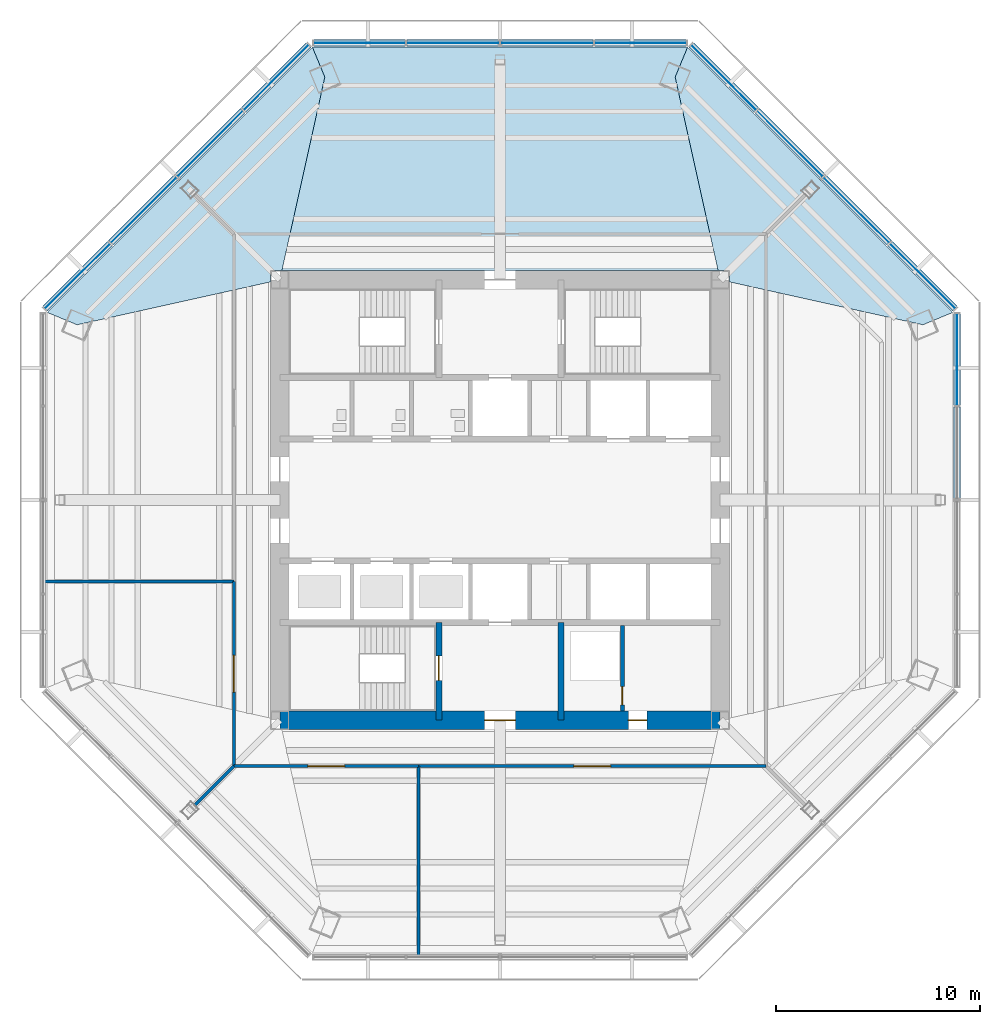
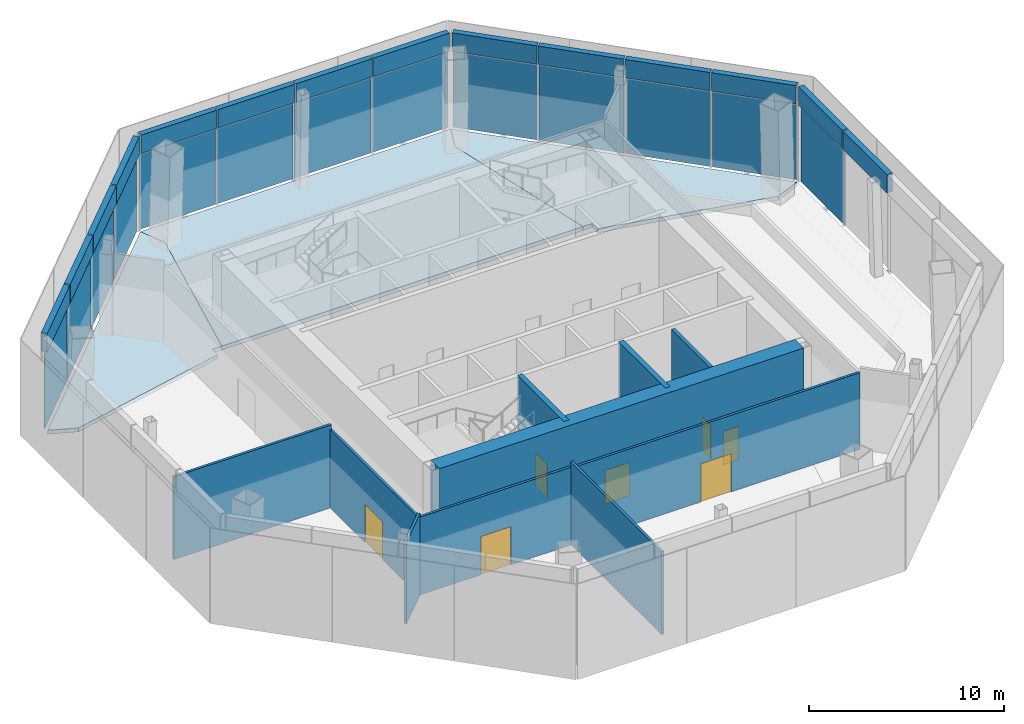
# One storey, part 6 of 13: 27 plates, 10 walls, 7 doors, 3 slabs, 7 openings, 4 elements without a shape of their own.
"""IFC4 building model written with IfcOpenShell, lengths in metres."""

from ifc_helpers import new_model, si_unit, direction, frame, frame_2d, origin, origin_2d, place, context, subcontext, project, spatial, polyline, rectangle, outline, extrude, source, transform, mapped, material, layer, layer_set, type_object, type_shapes, element, fill, aggregate, save


model = new_model("IFC4")

# Units and contexts
model_context = context("Model", 3, precision=1e-05, world=origin(), true_north=direction((0.0, 1.0)))
body_context = subcontext(model_context, "Body", "Model", "MODEL_VIEW")
ifc_project = project(units=[si_unit("LENGTHUNIT", "METRE"), si_unit("AREAUNIT", "SQUARE_METRE"), si_unit("VOLUMEUNIT", "CUBIC_METRE"), si_unit("PLANEANGLEUNIT", "RADIAN"), si_unit("MASSUNIT", "GRAM", prefix="KILO")], contexts=[model_context])

# Site, building, storey
site_placement = place(None, origin())
site = spatial("IfcSite", under=ifc_project, at=site_placement, CompositionType="ELEMENT")
building_placement = place(site_placement, origin())
building = spatial("IfcBuilding", under=site, at=building_placement, Name="Mashrafa Tower", CompositionType="ELEMENT")
storey_placement = place(building_placement, frame((0.0, 0.0, 198.0)))
storey = spatial("IfcBuildingStorey", under=building, at=storey_placement, Name="L45", CompositionType="ELEMENT", Elevation=198.0)

# Slabs
ifc_material_1 = material(Name="Concrete C35/45", Category="concrete")
ifc_layer_1 = layer(ifc_material_1, 0.25)
ifc_layer_set_1 = layer_set([ifc_layer_1], Name="Floor slab 250")
slab_type = type_object("IfcSlabType", Name="Floor slab 250", PredefinedType="FLOOR", material=ifc_layer_set_1)
slab_1_placement = place(storey_placement, frame((0.0, 0.0, -0.25)))
element("IfcSlab", 1, at=slab_1_placement, inside=storey, type_object=slab_type, Name="Floor slab L45 north-east bay", PredefinedType="FLOOR", context=body_context, shape_type="SweptSolid", body=[
    extrude(outline(polyline([(22.213623046875, 9.201171875), (20.742431640625, 8.591796875), (11.25, 10.699951171875), (11.25, 11.25), (10.699951171875, 11.25), (8.591796875, 20.742431640625), (9.201171875, 22.213623046875), (22.213623046875, 9.201171875)])), origin(), (0.0, 0.0, 1.0), 0.25),
])
slab_2_placement = place(storey_placement, frame((0.0, 0.0, -0.25)))
element("IfcSlab", 2, at=slab_2_placement, inside=storey, type_object=slab_type, Name="Floor slab L45 north bay", PredefinedType="FLOOR", context=body_context, shape_type="SweptSolid", body=[
    extrude(outline(polyline([(-9.201171875, 22.213623046875), (9.201171875, 22.213623046875), (9.201171875, 22.213623046875), (8.591796875, 20.742431640625), (10.699951171875, 11.25), (-10.699951171875, 11.25), (-8.591796875, 20.742431640625), (-9.201171875, 22.213623046875), (-9.201171875, 22.213623046875)])), origin(), (0.0, 0.0, 1.0), 0.25),
])
slab_3_placement = place(storey_placement, frame((0.0, 0.0, -0.25)))
element("IfcSlab", 3, at=slab_3_placement, inside=storey, type_object=slab_type, Name="Floor slab L45 north-west bay", PredefinedType="FLOOR", context=body_context, shape_type="SweptSolid", body=[
    extrude(outline(polyline([(-9.201171875, 22.213623046875), (-8.591796875, 20.742431640625), (-10.699951171875, 11.25), (-11.25, 11.25), (-11.25, 10.699951171875), (-20.742431640625, 8.591796875), (-22.213623046875, 9.201171875), (-9.201171875, 22.213623046875)])), origin(), (0.0, 0.0, 1.0), 0.25),
])

# Curtain wall, plate
ifc_material_2 = material(Name="Unitised aluminium curtain wall", Category="aluminium")
curtain_wall_type = type_object("IfcCurtainWallType", Name="Sky garden curtain wall CW-E 300 deep", PredefinedType="NOTDEFINED", material=ifc_material_2)
curtain_wall_1_placement = place(storey_placement, origin())
curtain_wall_1 = element("IfcCurtainWall", 4, at=curtain_wall_1_placement, inside=storey, type_object=curtain_wall_type, Name="Sky garden curtain wall L45 east", PredefinedType="NOTDEFINED")
ifc_material_3 = material(Name="Laminated insulated double glazing", Category="glass")
ifc_layer_2 = layer(ifc_material_3, 0.031982421875)
ifc_layer_set_2 = layer_set([ifc_layer_2], Name="Vision panel CW-E 32")
plate_type_1 = type_object("IfcPlateType", Name="Vision panel CW-E 32", PredefinedType="CURTAIN_PANEL", material=ifc_layer_set_2)
shared_shape_1 = source(origin(), body_context, "Body", "SweptSolid", [
    extrude(rectangle(XDim=4.493408203125, YDim=0.031982421875, at=origin_2d()), origin(), (0.0, 0.0, 1.0), 4.75),
])
plate_1_placement = place(storey_placement, frame((22.41357421875, 6.89013671875, 0.0), z_axis=(0.0, 0.0, 1.0), x_axis=(0.0, 1.0, 0.0)))
plate_1 = element("IfcPlate", 5, at=plate_1_placement, type_object=plate_type_1, Name="CW-E vision panel 4", PredefinedType="CURTAIN_PANEL", context=body_context, shape_type="MappedRepresentation", body=[
    mapped(shared_shape_1, transform((0.0, 0.0, 0.0))),
])

# Curtain wall, plates
curtain_wall_2_placement = place(storey_placement, origin())
curtain_wall_2 = element("IfcCurtainWall", 6, at=curtain_wall_2_placement, inside=storey, type_object=curtain_wall_type, Name="Sky garden curtain wall L45 north-east", PredefinedType="NOTDEFINED")
plate_2_placement = place(storey_placement, frame((20.720947265625, 10.976806640625, 0.0), z_axis=(0.0, 0.0, 1.0), x_axis=(-0.707106781187, 0.707106781187, 0.0)))
plate_2 = element("IfcPlate", 7, at=plate_2_placement, type_object=plate_type_1, Name="CW-E vision panel 1", PredefinedType="CURTAIN_PANEL", context=body_context, shape_type="MappedRepresentation", body=[
    mapped(shared_shape_1, transform((0.0, 0.0, 0.0))),
])
plate_3_placement = place(storey_placement, frame((10.976806640625, 20.720947265625, 0.0), z_axis=(0.0, 0.0, 1.0), x_axis=(-0.707106781187, 0.707106781187, 0.0)))
plate_3 = element("IfcPlate", 8, at=plate_3_placement, type_object=plate_type_1, Name="CW-E vision panel 4", PredefinedType="CURTAIN_PANEL", context=body_context, shape_type="MappedRepresentation", body=[
    mapped(shared_shape_1, transform((0.0, 0.0, 0.0))),
])

curtain_wall_3_placement = place(storey_placement, origin())
curtain_wall_3 = element("IfcCurtainWall", 9, at=curtain_wall_3_placement, inside=storey, type_object=curtain_wall_type, Name="Sky garden curtain wall L45 north", PredefinedType="NOTDEFINED")
plate_4_placement = place(storey_placement, frame((6.89013671875, 22.41357421875, 0.0), z_axis=(0.0, 0.0, 1.0), x_axis=(-1.0, 0.0, 0.0)))
plate_4 = element("IfcPlate", 10, at=plate_4_placement, type_object=plate_type_1, Name="CW-E vision panel 1", PredefinedType="CURTAIN_PANEL", context=body_context, shape_type="MappedRepresentation", body=[
    mapped(shared_shape_1, transform((0.0, 0.0, 0.0))),
])
plate_5_placement = place(storey_placement, frame((-6.89013671875, 22.41357421875, 0.0), z_axis=(0.0, 0.0, 1.0), x_axis=(-1.0, 0.0, 0.0)))
plate_5 = element("IfcPlate", 11, at=plate_5_placement, type_object=plate_type_1, Name="CW-E vision panel 4", PredefinedType="CURTAIN_PANEL", context=body_context, shape_type="MappedRepresentation", body=[
    mapped(shared_shape_1, transform((0.0, 0.0, 0.0))),
])

curtain_wall_4_placement = place(storey_placement, origin())
curtain_wall_4 = element("IfcCurtainWall", 12, at=curtain_wall_4_placement, inside=storey, type_object=curtain_wall_type, Name="Sky garden curtain wall L45 north-west", PredefinedType="NOTDEFINED")
plate_6_placement = place(storey_placement, frame((-10.976806640625, 20.720947265625, 0.0), z_axis=(0.0, 0.0, 1.0), x_axis=(-0.707106781187, -0.707106781187, 0.0)))
plate_6 = element("IfcPlate", 13, at=plate_6_placement, type_object=plate_type_1, Name="CW-E vision panel 1", PredefinedType="CURTAIN_PANEL", context=body_context, shape_type="MappedRepresentation", body=[
    mapped(shared_shape_1, transform((0.0, 0.0, 0.0))),
])
plate_7_placement = place(storey_placement, frame((-20.720947265625, 10.976806640625, 0.0), z_axis=(0.0, 0.0, 1.0), x_axis=(-0.707106781187, -0.707106781187, 0.0)))
plate_7 = element("IfcPlate", 14, at=plate_7_placement, type_object=plate_type_1, Name="CW-E vision panel 4", PredefinedType="CURTAIN_PANEL", context=body_context, shape_type="MappedRepresentation", body=[
    mapped(shared_shape_1, transform((0.0, 0.0, 0.0))),
])

# Plate
ifc_material_4 = material(Name="Insulated aluminium spandrel panel", Category="aluminium")
ifc_layer_3 = layer(ifc_material_4, 0.330078125)
ifc_layer_set_3 = layer_set([ifc_layer_3], Name="Spandrel panel CW-E 330")
plate_type_2 = type_object("IfcPlateType", Name="Spandrel panel CW-E 330", PredefinedType="CURTAIN_PANEL", material=ifc_layer_set_3)
shared_shape_2 = source(origin(), body_context, "Body", "SweptSolid", [
    extrude(rectangle(XDim=4.493408203125, YDim=0.330078125, at=origin_2d()), origin(), (0.0, 0.0, 1.0), 1.14990234375),
])
plate_8_placement = place(storey_placement, frame((22.41357421875, 6.89013671875, 4.85009765625), z_axis=(0.0, 0.0, 1.0), x_axis=(0.0, 1.0, 0.0)))
plate_8 = element("IfcPlate", 15, at=plate_8_placement, type_object=plate_type_2, Name="CW-E spandrel panel 4", PredefinedType="CURTAIN_PANEL", context=body_context, shape_type="MappedRepresentation", body=[
    mapped(shared_shape_2, transform((0.0, 0.0, 0.0))),
])

plate_9_placement = place(storey_placement, frame((20.720947265625, 10.976806640625, 4.85009765625), z_axis=(0.0, 0.0, 1.0), x_axis=(-0.707106781187, 0.707106781187, 0.0)))
plate_9 = element("IfcPlate", 16, at=plate_9_placement, type_object=plate_type_2, Name="CW-E spandrel panel 1", PredefinedType="CURTAIN_PANEL", context=body_context, shape_type="MappedRepresentation", body=[
    mapped(shared_shape_2, transform((0.0, 0.0, 0.0))),
])

plate_10_placement = place(storey_placement, frame((10.976806640625, 20.720947265625, 4.85009765625), z_axis=(0.0, 0.0, 1.0), x_axis=(-0.707106781187, 0.707106781187, 0.0)))
plate_10 = element("IfcPlate", 17, at=plate_10_placement, type_object=plate_type_2, Name="CW-E spandrel panel 4", PredefinedType="CURTAIN_PANEL", context=body_context, shape_type="MappedRepresentation", body=[
    mapped(shared_shape_2, transform((0.0, 0.0, 0.0))),
])

plate_11_placement = place(storey_placement, frame((6.89013671875, 22.41357421875, 4.85009765625), z_axis=(0.0, 0.0, 1.0), x_axis=(-1.0, 0.0, 0.0)))
plate_11 = element("IfcPlate", 18, at=plate_11_placement, type_object=plate_type_2, Name="CW-E spandrel panel 1", PredefinedType="CURTAIN_PANEL", context=body_context, shape_type="MappedRepresentation", body=[
    mapped(shared_shape_2, transform((0.0, 0.0, 0.0))),
])

plate_12_placement = place(storey_placement, frame((-6.89013671875, 22.41357421875, 4.85009765625), z_axis=(0.0, 0.0, 1.0), x_axis=(-1.0, 0.0, 0.0)))
plate_12 = element("IfcPlate", 19, at=plate_12_placement, type_object=plate_type_2, Name="CW-E spandrel panel 4", PredefinedType="CURTAIN_PANEL", context=body_context, shape_type="MappedRepresentation", body=[
    mapped(shared_shape_2, transform((0.0, 0.0, 0.0))),
])

plate_13_placement = place(storey_placement, frame((-10.976806640625, 20.720947265625, 4.85009765625), z_axis=(0.0, 0.0, 1.0), x_axis=(-0.707106781187, -0.707106781187, 0.0)))
plate_13 = element("IfcPlate", 20, at=plate_13_placement, type_object=plate_type_2, Name="CW-E spandrel panel 1", PredefinedType="CURTAIN_PANEL", context=body_context, shape_type="MappedRepresentation", body=[
    mapped(shared_shape_2, transform((0.0, 0.0, 0.0))),
])

plate_14_placement = place(storey_placement, frame((-20.720947265625, 10.976806640625, 4.85009765625), z_axis=(0.0, 0.0, 1.0), x_axis=(-0.707106781187, -0.707106781187, 0.0)))
plate_14 = element("IfcPlate", 21, at=plate_14_placement, type_object=plate_type_2, Name="CW-E spandrel panel 4", PredefinedType="CURTAIN_PANEL", context=body_context, shape_type="MappedRepresentation", body=[
    mapped(shared_shape_2, transform((0.0, 0.0, 0.0))),
])

shared_shape_3 = source(origin(), body_context, "Body", "SweptSolid", [
    extrude(rectangle(XDim=4.531005859375, YDim=0.031982421875, at=origin_2d()), origin(), (0.0, 0.0, 1.0), 4.75),
])
type_shapes(plate_type_1, [shared_shape_1, shared_shape_3])
plate_15_placement = place(storey_placement, frame((17.477294921875, 14.220458984375, 0.0), z_axis=(0.0, 0.0, 1.0), x_axis=(-0.707106781187, 0.707106781187, 0.0)))
plate_15 = element("IfcPlate", 22, at=plate_15_placement, type_object=plate_type_1, Name="CW-E vision panel 2", PredefinedType="CURTAIN_PANEL", context=body_context, shape_type="MappedRepresentation", body=[
    mapped(shared_shape_3, transform((0.0, 0.0, 0.0))),
])

plate_16_placement = place(storey_placement, frame((14.220458984375, 17.477294921875, 0.0), z_axis=(0.0, 0.0, 1.0), x_axis=(-0.707106781187, 0.707106781187, 0.0)))
plate_16 = element("IfcPlate", 23, at=plate_16_placement, type_object=plate_type_1, Name="CW-E vision panel 3", PredefinedType="CURTAIN_PANEL", context=body_context, shape_type="MappedRepresentation", body=[
    mapped(shared_shape_3, transform((0.0, 0.0, 0.0))),
])

plate_17_placement = place(storey_placement, frame((2.302978515625, 22.41357421875, 0.0), z_axis=(0.0, 0.0, 1.0), x_axis=(-1.0, 0.0, 0.0)))
plate_17 = element("IfcPlate", 24, at=plate_17_placement, type_object=plate_type_1, Name="CW-E vision panel 2", PredefinedType="CURTAIN_PANEL", context=body_context, shape_type="MappedRepresentation", body=[
    mapped(shared_shape_3, transform((0.0, 0.0, 0.0))),
])

plate_18_placement = place(storey_placement, frame((-2.302978515625, 22.41357421875, 0.0), z_axis=(0.0, 0.0, 1.0), x_axis=(-1.0, 0.0, 0.0)))
plate_18 = element("IfcPlate", 25, at=plate_18_placement, type_object=plate_type_1, Name="CW-E vision panel 3", PredefinedType="CURTAIN_PANEL", context=body_context, shape_type="MappedRepresentation", body=[
    mapped(shared_shape_3, transform((0.0, 0.0, 0.0))),
])

plate_19_placement = place(storey_placement, frame((-14.220458984375, 17.477294921875, 0.0), z_axis=(0.0, 0.0, 1.0), x_axis=(-0.707106781187, -0.707106781187, 0.0)))
plate_19 = element("IfcPlate", 26, at=plate_19_placement, type_object=plate_type_1, Name="CW-E vision panel 2", PredefinedType="CURTAIN_PANEL", context=body_context, shape_type="MappedRepresentation", body=[
    mapped(shared_shape_3, transform((0.0, 0.0, 0.0))),
])

plate_20_placement = place(storey_placement, frame((-17.477294921875, 14.220458984375, 0.0), z_axis=(0.0, 0.0, 1.0), x_axis=(-0.707106781187, -0.707106781187, 0.0)))
plate_20 = element("IfcPlate", 27, at=plate_20_placement, type_object=plate_type_1, Name="CW-E vision panel 3", PredefinedType="CURTAIN_PANEL", context=body_context, shape_type="MappedRepresentation", body=[
    mapped(shared_shape_3, transform((0.0, 0.0, 0.0))),
])

shared_shape_4 = source(origin(), body_context, "Body", "SweptSolid", [
    extrude(rectangle(XDim=4.531005859375, YDim=0.330078125, at=origin_2d()), origin(), (0.0, 0.0, 1.0), 1.14990234375),
])
type_shapes(plate_type_2, [shared_shape_2, shared_shape_4])
plate_21_placement = place(storey_placement, frame((22.41357421875, 2.302978515625, 4.85009765625), z_axis=(0.0, 0.0, 1.0), x_axis=(0.0, 1.0, 0.0)))
plate_21 = element("IfcPlate", 28, at=plate_21_placement, type_object=plate_type_2, Name="CW-E spandrel panel 3", PredefinedType="CURTAIN_PANEL", context=body_context, shape_type="MappedRepresentation", body=[
    mapped(shared_shape_4, transform((0.0, 0.0, 0.0))),
])

aggregate(curtain_wall_1, [plate_21, plate_1, plate_8])

plate_22_placement = place(storey_placement, frame((17.477294921875, 14.220458984375, 4.85009765625), z_axis=(0.0, 0.0, 1.0), x_axis=(-0.707106781187, 0.707106781187, 0.0)))
plate_22 = element("IfcPlate", 29, at=plate_22_placement, type_object=plate_type_2, Name="CW-E spandrel panel 2", PredefinedType="CURTAIN_PANEL", context=body_context, shape_type="MappedRepresentation", body=[
    mapped(shared_shape_4, transform((0.0, 0.0, 0.0))),
])

plate_23_placement = place(storey_placement, frame((14.220458984375, 17.477294921875, 4.85009765625), z_axis=(0.0, 0.0, 1.0), x_axis=(-0.707106781187, 0.707106781187, 0.0)))
plate_23 = element("IfcPlate", 30, at=plate_23_placement, type_object=plate_type_2, Name="CW-E spandrel panel 3", PredefinedType="CURTAIN_PANEL", context=body_context, shape_type="MappedRepresentation", body=[
    mapped(shared_shape_4, transform((0.0, 0.0, 0.0))),
])

aggregate(curtain_wall_2, [plate_2, plate_9, plate_15, plate_22, plate_16, plate_23, plate_3, plate_10])

plate_24_placement = place(storey_placement, frame((2.302978515625, 22.41357421875, 4.85009765625), z_axis=(0.0, 0.0, 1.0), x_axis=(-1.0, 0.0, 0.0)))
plate_24 = element("IfcPlate", 31, at=plate_24_placement, type_object=plate_type_2, Name="CW-E spandrel panel 2", PredefinedType="CURTAIN_PANEL", context=body_context, shape_type="MappedRepresentation", body=[
    mapped(shared_shape_4, transform((0.0, 0.0, 0.0))),
])

plate_25_placement = place(storey_placement, frame((-2.302978515625, 22.41357421875, 4.85009765625), z_axis=(0.0, 0.0, 1.0), x_axis=(-1.0, 0.0, 0.0)))
plate_25 = element("IfcPlate", 32, at=plate_25_placement, type_object=plate_type_2, Name="CW-E spandrel panel 3", PredefinedType="CURTAIN_PANEL", context=body_context, shape_type="MappedRepresentation", body=[
    mapped(shared_shape_4, transform((0.0, 0.0, 0.0))),
])

aggregate(curtain_wall_3, [plate_4, plate_11, plate_17, plate_24, plate_18, plate_25, plate_5, plate_12])

plate_26_placement = place(storey_placement, frame((-14.220458984375, 17.477294921875, 4.85009765625), z_axis=(0.0, 0.0, 1.0), x_axis=(-0.707106781187, -0.707106781187, 0.0)))
plate_26 = element("IfcPlate", 33, at=plate_26_placement, type_object=plate_type_2, Name="CW-E spandrel panel 2", PredefinedType="CURTAIN_PANEL", context=body_context, shape_type="MappedRepresentation", body=[
    mapped(shared_shape_4, transform((0.0, 0.0, 0.0))),
])

plate_27_placement = place(storey_placement, frame((-17.477294921875, 14.220458984375, 4.85009765625), z_axis=(0.0, 0.0, 1.0), x_axis=(-0.707106781187, -0.707106781187, 0.0)))
plate_27 = element("IfcPlate", 34, at=plate_27_placement, type_object=plate_type_2, Name="CW-E spandrel panel 3", PredefinedType="CURTAIN_PANEL", context=body_context, shape_type="MappedRepresentation", body=[
    mapped(shared_shape_4, transform((0.0, 0.0, 0.0))),
])

aggregate(curtain_wall_4, [plate_6, plate_13, plate_19, plate_26, plate_20, plate_27, plate_7, plate_14])

# Wall, opening, door
ifc_material_5 = material(Name="Concrete masonry unit", Category="masonry")
ifc_layer_4 = layer(ifc_material_5, 0.199951171875)
ifc_layer_set_4 = layer_set([ifc_layer_4], Name="Blockwork wall 200 2 hr")
wall_type_1 = type_object("IfcWallType", Name="Blockwork wall 200 2 hr", PredefinedType="PARTITIONING", material=ifc_layer_set_4)
wall_1_placement = place(storey_placement, frame((6.0, -10.35009765625, 0.0), z_axis=(0.0, 0.0, 1.0), x_axis=(0.0, 1.0, 0.0)))
wall_1 = element("IfcWall", 35, at=wall_1_placement, inside=storey, type_object=wall_type_1, Name="Riser enclosure wall L45", PredefinedType="PARTITIONING", context=body_context, shape_type="SweptSolid", body=[
    extrude(rectangle(XDim=4.2001953125, YDim=0.199951171875, at=frame_2d((2.10009765625, 0.0))), origin(), (0.0, 0.0, 1.0), 5.800048828125),
])
opening_1_placement = place(wall_1_placement, frame((0.300048828125, 0.0, 0.0)))
opening_1 = element("IfcOpeningElement", 36, at=opening_1_placement, cuts=wall_1, Name="Opening 45.017", PredefinedType="OPENING", context=body_context, shape_type="SweptSolid", body=[
    extrude(rectangle(XDim=0.89990234375, YDim=2.10009765625, at=frame_2d((0.449951171875, 1.050048828125))), frame((0.0, 0.10986328125, 0.0), z_axis=(0.0, -1.0, 0.0), x_axis=(1.0, 0.0, 0.0)), (0.0, 0.0, 1.0), 0.219970703125),
])
ifc_material_6 = material(Name="Steel door", Category="steel")
door_type_1 = type_object("IfcDoorType", Name="Service door 900 x 2100 90 min", OperationType="USERDEFINED", PredefinedType="DOOR", material=ifc_material_6)
door_1_placement = place(opening_1_placement, origin())
door_1 = element("IfcDoor", 37, at=door_1_placement, inside=storey, type_object=door_type_1, Name="Riser door L45", OperationType="SINGLE_SWING_LEFT", OverallHeight=2.10009765625, OverallWidth=0.89990234375, PredefinedType="DOOR", context=body_context, shape_type="SweptSolid", body=[
    extrude(rectangle(XDim=0.89990234375, YDim=2.10009765625, at=frame_2d((0.449951171875, 1.050048828125))), frame((0.0, 0.02490234375, 0.0), z_axis=(0.0, -1.0, 0.0), x_axis=(1.0, 0.0, 0.0)), (0.0, 0.0, 1.0), 0.050048828125),
])
fill(opening_1, door_1)

ifc_material_7 = material(Name="Concrete C50/60", Category="concrete")
ifc_layer_5 = layer(ifc_material_7, 0.300048828125)
ifc_layer_set_5 = layer_set([ifc_layer_5], Name="Core wall 300 C50/60")
wall_type_2 = type_object("IfcWallType", Name="Core wall 300 C50/60", PredefinedType="SOLIDWALL", material=ifc_layer_set_5)
wall_2_placement = place(storey_placement, frame((-3.0, -6.0, 0.0), z_axis=(0.0, 0.0, 1.0), x_axis=(0.0, -1.0, 0.0)))
wall_2 = element("IfcWall", 38, at=wall_2_placement, inside=storey, type_object=wall_type_2, Name="Core wall CX-SW L45", PredefinedType="SOLIDWALL", context=body_context, shape_type="SweptSolid", body=[
    extrude(rectangle(XDim=4.800048828125, YDim=0.300048828125, at=frame_2d((2.39990234375, 0.0))), origin(), (0.0, 0.0, 1.0), 6.0),
])
opening_2_placement = place(wall_2_placement, frame((1.64990234375, 0.0, 0.0)))
opening_2 = element("IfcOpeningElement", 39, at=opening_2_placement, cuts=wall_2, Name="Opening 45.015", PredefinedType="OPENING", context=body_context, shape_type="SweptSolid", body=[
    extrude(rectangle(XDim=1.199951171875, YDim=2.10009765625, at=frame_2d((0.60009765625, 1.050048828125))), frame((0.0, 0.159912109375, 0.0), z_axis=(0.0, -1.0, 0.0), x_axis=(1.0, 0.0, 0.0)), (0.0, 0.0, 1.0), 0.320068359375),
])
ifc_material_8 = material(Name="Steel door", Category="steel")
door_type_2 = type_object("IfcDoorType", Name="Stair door 1200 x 2100 90 min", OperationType="USERDEFINED", PredefinedType="DOOR", material=ifc_material_8)
door_2_placement = place(opening_2_placement, frame((1.199951171875, 0.0, 0.0), z_axis=(0.0, 0.0, 1.0), x_axis=(-1.0, 0.0, 0.0)))
door_2 = element("IfcDoor", 40, at=door_2_placement, inside=storey, type_object=door_type_2, Name="Stair S3 door L45", OperationType="SINGLE_SWING_RIGHT", OverallHeight=2.10009765625, OverallWidth=1.199951171875, PredefinedType="DOOR", context=body_context, shape_type="SweptSolid", body=[
    extrude(rectangle(XDim=1.199951171875, YDim=2.10009765625, at=frame_2d((0.60009765625, 1.050048828125))), frame((0.0, 0.02490234375, 0.0), z_axis=(0.0, -1.0, 0.0), x_axis=(1.0, 0.0, 0.0)), (0.0, 0.0, 1.0), 0.050048828125),
])
fill(opening_2, door_2)

# Wall
wall_3_placement = place(storey_placement, frame((3.0, -6.0, 0.0), z_axis=(0.0, 0.0, 1.0), x_axis=(0.0, -1.0, 0.0)))
element("IfcWall", 41, at=wall_3_placement, inside=storey, type_object=wall_type_2, Name="Core wall CX-SE L45", PredefinedType="SOLIDWALL", context=body_context, shape_type="SweptSolid", body=[
    extrude(rectangle(XDim=4.800048828125, YDim=0.300048828125, at=frame_2d((2.39990234375, 0.0))), origin(), (0.0, 0.0, 1.0), 6.0),
])

# Wall, openings, doors
ifc_material_9 = material(Name="Concrete C50/60", Category="concrete")
ifc_layer_6 = layer(ifc_material_9, 0.89990234375)
ifc_layer_set_6 = layer_set([ifc_layer_6], Name="Core wall 900 C50/60")
wall_type_3 = type_object("IfcWallType", Name="Core wall 900 C50/60", PredefinedType="SOLIDWALL", material=ifc_layer_set_6)
wall_4_placement = place(storey_placement, frame((-10.800048828125, -10.800048828125, 0.0), z_axis=(0.0, 0.0, 1.0), x_axis=(1.0, 0.0, 0.0)))
wall_4 = element("IfcWall", 42, at=wall_4_placement, inside=storey, type_object=wall_type_3, Name="Core wall CW-S L45", PredefinedType="SOLIDWALL", context=body_context, shape_type="SweptSolid", body=[
    extrude(rectangle(XDim=21.60009765625, YDim=0.89990234375, at=frame_2d((10.800048828125, 0.0))), origin(), (0.0, 0.0, 1.0), 6.0),
])
opening_3_placement = place(wall_4_placement, frame((10.050048828125, 0.0, 0.0)))
opening_3 = element("IfcOpeningElement", 43, at=opening_3_placement, cuts=wall_4, Name="Opening 45.012", PredefinedType="OPENING", context=body_context, shape_type="SweptSolid", body=[
    extrude(rectangle(XDim=1.5, YDim=2.10009765625, at=frame_2d((0.75, 1.050048828125))), frame((0.0, 0.4599609375, 0.0), z_axis=(0.0, -1.0, 0.0), x_axis=(1.0, 0.0, 0.0)), (0.0, 0.0, 1.0), 0.919921875),
])
opening_4_placement = place(wall_4_placement, frame((17.10009765625, 0.0, 0.0)))
opening_4 = element("IfcOpeningElement", 44, at=opening_4_placement, cuts=wall_4, Name="Opening 45.016", PredefinedType="OPENING", context=body_context, shape_type="SweptSolid", body=[
    extrude(rectangle(XDim=0.89990234375, YDim=2.10009765625, at=frame_2d((0.449951171875, 1.050048828125))), frame((0.0, 0.4599609375, 0.0), z_axis=(0.0, -1.0, 0.0), x_axis=(1.0, 0.0, 0.0)), (0.0, 0.0, 1.0), 0.919921875),
])
ifc_material_10 = material(Name="Steel door", Category="steel")
door_type_3 = type_object("IfcDoorType", Name="Lobby door pair 1500 x 2100 90 min", OperationType="DOUBLE_DOOR_SINGLE_SWING", PredefinedType="DOOR", material=ifc_material_10)
door_3_placement = place(opening_3_placement, origin())
door_3 = element("IfcDoor", 45, at=door_3_placement, inside=storey, type_object=door_type_3, Name="Fire-fighting lobby F2 door L45", OperationType="DOUBLE_DOOR_SINGLE_SWING", OverallHeight=2.10009765625, OverallWidth=1.5, PredefinedType="DOOR", context=body_context, shape_type="SweptSolid", body=[
    extrude(rectangle(XDim=1.5, YDim=2.10009765625, at=frame_2d((0.75, 1.050048828125))), frame((0.0, 0.02490234375, 0.0), z_axis=(0.0, -1.0, 0.0), x_axis=(1.0, 0.0, 0.0)), (0.0, 0.0, 1.0), 0.050048828125),
])
fill(opening_3, door_3)
door_4_placement = place(opening_4_placement, origin())
door_4 = element("IfcDoor", 46, at=door_4_placement, inside=storey, type_object=door_type_1, Name="Concierge Store L45 door", OperationType="SINGLE_SWING_LEFT", OverallHeight=2.10009765625, OverallWidth=0.89990234375, PredefinedType="DOOR", context=body_context, shape_type="SweptSolid", body=[
    extrude(rectangle(XDim=0.89990234375, YDim=2.10009765625, at=frame_2d((0.449951171875, 1.050048828125))), frame((0.0, 0.02490234375, 0.0), z_axis=(0.0, -1.0, 0.0), x_axis=(1.0, 0.0, 0.0)), (0.0, 0.0, 1.0), 0.050048828125),
])
fill(opening_4, door_4)

# Wall, opening, door
ifc_material_11 = material(Name="Gypsum board on steel studs", Category="steel")
ifc_layer_7 = layer(ifc_material_11, 0.14990234375)
ifc_layer_set_7 = layer_set([ifc_layer_7], Name="Corridor partition 150 1 hr")
wall_type_4 = type_object("IfcWallType", Name="Corridor partition 150 1 hr", PredefinedType="PARTITIONING", material=ifc_layer_set_7)
wall_5_placement = place(storey_placement, frame((-13.050048828125, -13.050048828125, 0.0), z_axis=(0.0, 0.0, 1.0), x_axis=(1.0, 0.0, 0.0)))
wall_5 = element("IfcWall", 47, at=wall_5_placement, inside=storey, type_object=wall_type_4, Name="Corridor wall L45-001", PredefinedType="PARTITIONING", context=body_context, shape_type="SweptSolid", body=[
    extrude(rectangle(XDim=9.051025390625, YDim=0.14990234375, at=frame_2d((4.525390625, 0.0))), origin(), (0.0, 0.0, 1.0), 4.878173828125),
])
opening_5_placement = place(wall_5_placement, frame((3.62548828125, 0.0, 0.0)))
opening_5 = element("IfcOpeningElement", 48, at=opening_5_placement, cuts=wall_5, Name="Opening 45.001", PredefinedType="OPENING", context=body_context, shape_type="SweptSolid", body=[
    extrude(rectangle(XDim=1.800048828125, YDim=2.39990234375, at=frame_2d((0.89990234375, 1.199951171875))), frame((0.0, 0.0849609375, 0.0), z_axis=(0.0, -1.0, 0.0), x_axis=(1.0, 0.0, 0.0)), (0.0, 0.0, 1.0), 0.169921875),
])
ifc_material_12 = material(Name="Steel door", Category="steel")
door_type_4 = type_object("IfcDoorType", Name="Door pair 1800 x 2400 90 min", OperationType="DOUBLE_DOOR_SINGLE_SWING", PredefinedType="DOOR", material=ifc_material_12)
door_5_placement = place(opening_5_placement, origin())
door_5 = element("IfcDoor", 49, at=door_5_placement, inside=storey, type_object=door_type_4, Name="Children's Room L45 door", OperationType="DOUBLE_DOOR_SINGLE_SWING", OverallHeight=2.39990234375, OverallWidth=1.800048828125, PredefinedType="DOOR", context=body_context, shape_type="SweptSolid", body=[
    extrude(rectangle(XDim=1.800048828125, YDim=2.39990234375, at=frame_2d((0.89990234375, 1.199951171875))), frame((0.0, 0.02490234375, 0.0), z_axis=(0.0, -1.0, 0.0), x_axis=(1.0, 0.0, 0.0)), (0.0, 0.0, 1.0), 0.050048828125),
])
fill(opening_5, door_5)

wall_6_placement = place(storey_placement, frame((-4.0009765625, -13.050048828125, 0.0), z_axis=(0.0, 0.0, 1.0), x_axis=(1.0, 0.0, 0.0)))
wall_6 = element("IfcWall", 50, at=wall_6_placement, inside=storey, type_object=wall_type_4, Name="Corridor wall L45-002", PredefinedType="PARTITIONING", context=body_context, shape_type="SweptSolid", body=[
    extrude(rectangle(XDim=17.051025390625, YDim=0.14990234375, at=frame_2d((8.525390625, 0.0))), origin(), (0.0, 0.0, 1.0), 4.806884765625),
])
opening_6_placement = place(wall_6_placement, frame((7.62548828125, 0.0, 0.0)))
opening_6 = element("IfcOpeningElement", 51, at=opening_6_placement, cuts=wall_6, Name="Opening 45.002", PredefinedType="OPENING", context=body_context, shape_type="SweptSolid", body=[
    extrude(rectangle(XDim=1.800048828125, YDim=2.39990234375, at=frame_2d((0.89990234375, 1.199951171875))), frame((0.0, 0.0849609375, 0.0), z_axis=(0.0, -1.0, 0.0), x_axis=(1.0, 0.0, 0.0)), (0.0, 0.0, 1.0), 0.169921875),
])
door_6_placement = place(opening_6_placement, origin())
door_6 = element("IfcDoor", 52, at=door_6_placement, inside=storey, type_object=door_type_4, Name="Residents' Lounge L45 door", OperationType="DOUBLE_DOOR_SINGLE_SWING", OverallHeight=2.39990234375, OverallWidth=1.800048828125, PredefinedType="DOOR", context=body_context, shape_type="SweptSolid", body=[
    extrude(rectangle(XDim=1.800048828125, YDim=2.39990234375, at=frame_2d((0.89990234375, 1.199951171875))), frame((0.0, 0.02490234375, 0.0), z_axis=(0.0, -1.0, 0.0), x_axis=(1.0, 0.0, 0.0)), (0.0, 0.0, 1.0), 0.050048828125),
])
fill(opening_6, door_6)

wall_7_placement = place(storey_placement, frame((-13.050048828125, -3.9990234375, 0.0), z_axis=(0.0, 0.0, 1.0), x_axis=(0.0, -1.0, 0.0)))
wall_7 = element("IfcWall", 53, at=wall_7_placement, inside=storey, type_object=wall_type_4, Name="Corridor wall L45-003", PredefinedType="PARTITIONING", context=body_context, shape_type="SweptSolid", body=[
    extrude(rectangle(XDim=9.051025390625, YDim=0.14990234375, at=frame_2d((4.525390625, 0.0))), origin(), (0.0, 0.0, 1.0), 4.878173828125),
])
opening_7_placement = place(wall_7_placement, frame((3.62548828125, 0.0, 0.0)))
opening_7 = element("IfcOpeningElement", 54, at=opening_7_placement, cuts=wall_7, Name="Opening 45.003", PredefinedType="OPENING", context=body_context, shape_type="SweptSolid", body=[
    extrude(rectangle(XDim=1.800048828125, YDim=2.39990234375, at=frame_2d((0.89990234375, 1.199951171875))), frame((0.0, 0.0849609375, 0.0), z_axis=(0.0, -1.0, 0.0), x_axis=(1.0, 0.0, 0.0)), (0.0, 0.0, 1.0), 0.169921875),
])
door_7_placement = place(opening_7_placement, frame((1.800048828125, 0.0, 0.0), z_axis=(0.0, 0.0, 1.0), x_axis=(-1.0, 0.0, 0.0)))
door_7 = element("IfcDoor", 55, at=door_7_placement, inside=storey, type_object=door_type_4, Name="Residents' Library L45 door", OperationType="DOUBLE_DOOR_SINGLE_SWING", OverallHeight=2.39990234375, OverallWidth=1.800048828125, PredefinedType="DOOR", context=body_context, shape_type="SweptSolid", body=[
    extrude(rectangle(XDim=1.800048828125, YDim=2.39990234375, at=frame_2d((0.89990234375, 1.199951171875))), frame((0.0, 0.02490234375, 0.0), z_axis=(0.0, -1.0, 0.0), x_axis=(1.0, 0.0, 0.0)), (0.0, 0.0, 1.0), 0.050048828125),
])
fill(opening_7, door_7)

# Walls
ifc_material_13 = material(Name="Gypsum board on steel studs", Category="steel")
ifc_layer_8 = layer(ifc_material_13, 0.14990234375)
ifc_layer_set_8 = layer_set([ifc_layer_8], Name="Partition 150")
wall_type_5 = type_object("IfcWallType", Name="Partition 150", PredefinedType="PARTITIONING", material=ifc_layer_set_8)
wall_8_placement = place(storey_placement, frame((-4.0, -22.3935546875, 0.0), z_axis=(0.0, 0.0, 1.0), x_axis=(0.0, 1.0, 0.0)))
element("IfcWall", 56, at=wall_8_placement, inside=storey, type_object=wall_type_5, Name="Partition wall L45-007", PredefinedType="PARTITIONING", context=body_context, shape_type="SweptSolid", body=[
    extrude(rectangle(XDim=9.343505859375, YDim=0.14990234375, at=frame_2d((4.671875, 0.0))), origin(), (0.0, 0.0, 1.0), 5.190673828125),
])
wall_9_placement = place(storey_placement, frame((-13.050048828125, -13.050048828125, 0.0), z_axis=(0.0, 0.0, 1.0), x_axis=(-0.707106781187, -0.707106781187, 0.0)))
element("IfcWall", 57, at=wall_9_placement, inside=storey, type_object=wall_type_5, Name="Partition wall L45-008", PredefinedType="PARTITIONING", context=body_context, shape_type="SweptSolid", body=[
    extrude(rectangle(XDim=2.71923828125, YDim=0.14990234375, at=frame_2d((1.359619140625, 0.0))), origin(), (0.0, 0.0, 1.0), 5.11181640625),
])
wall_10_placement = place(storey_placement, frame((-13.050048828125, -4.0, 0.0), z_axis=(0.0, 0.0, 1.0), x_axis=(-1.0, 0.0, 0.0)))
element("IfcWall", 58, at=wall_10_placement, inside=storey, type_object=wall_type_5, Name="Partition wall L45-011", PredefinedType="PARTITIONING", context=body_context, shape_type="SweptSolid", body=[
    extrude(rectangle(XDim=9.343505859375, YDim=0.14990234375, at=frame_2d((4.671875, 0.0))), origin(), (0.0, 0.0, 1.0), 5.190673828125),
])

save(model, "model.ifc")
